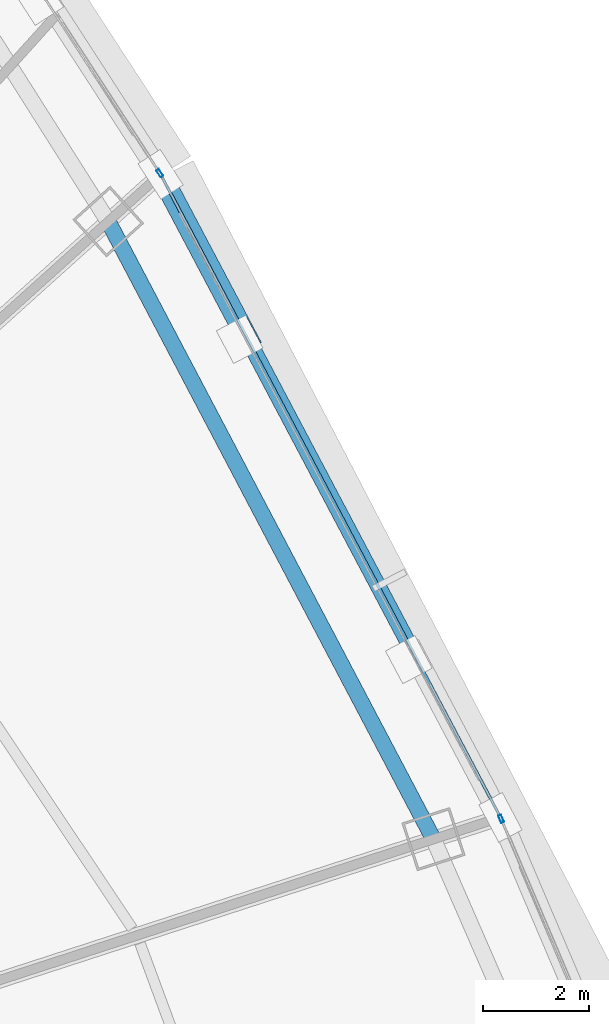
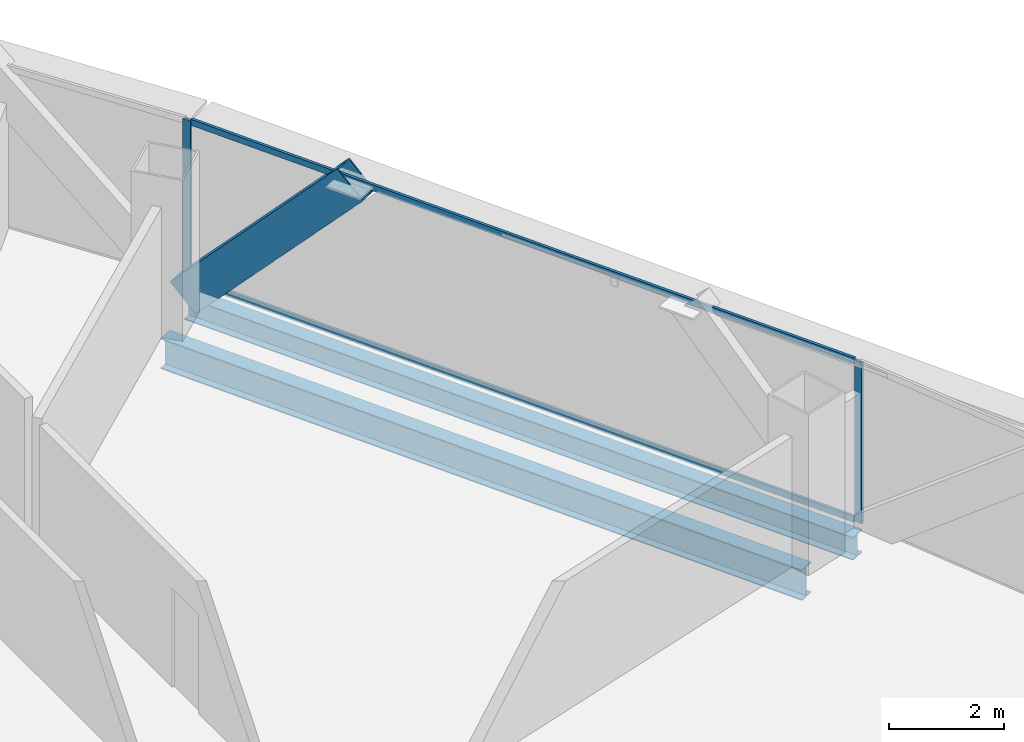
# One storey, part 28 of 40: 5 members, 2 beams, 3 elements without a shape of their own.
"""IFC4 building model written with IfcOpenShell, lengths in metres."""

from ifc_helpers import new_model, si_unit, direction, frame, origin, origin_2d, place, context, subcontext, project, spatial, hollow_rectangle, i_section, extrude, source, transform, mapped, material, layer, layer_set, material_profile, profile_set, type_object, element, aggregate, save


model = new_model("IFC4")

# Units and contexts
model_context = context("Model", 3, precision=1e-05, world=origin(), true_north=direction((0.0, 1.0)))
body_context = subcontext(model_context, "Body", "Model", "MODEL_VIEW")
ifc_project = project(units=[si_unit("LENGTHUNIT", "METRE"), si_unit("AREAUNIT", "SQUARE_METRE"), si_unit("VOLUMEUNIT", "CUBIC_METRE"), si_unit("PLANEANGLEUNIT", "RADIAN"), si_unit("MASSUNIT", "GRAM", prefix="KILO"), si_unit("THERMODYNAMICTEMPERATUREUNIT", "KELVIN"), si_unit("POWERUNIT", "WATT")], contexts=[model_context])

# Site, building, storey
site_placement = place(None, origin())
site = spatial("IfcSite", under=ifc_project, at=site_placement, CompositionType="ELEMENT")
building_placement = place(site_placement, origin())
building = spatial("IfcBuilding", under=site, at=building_placement, Name="Yunzhuo Pagoda Commons", CompositionType="ELEMENT")
storey_placement = place(building_placement, frame((0.0, 0.0, 159.27001953125)))
storey = spatial("IfcBuildingStorey", under=building, at=storey_placement, Name="L40", CompositionType="ELEMENT", Elevation=159.27001953125)

# Beams
ifc_material_1 = material(Name="Structural steel Q355B", Category="steel")
ifc_material_profile_1 = material_profile(ifc_material_1, i_section(OverallWidth=0.300048828125, OverallDepth=0.64990234375, WebThickness=0.012939453125, FlangeThickness=0.02197265625, at=origin_2d()), Name="Structural steel Q355B")
ifc_profile_set_1 = profile_set([ifc_material_profile_1], Name="Structural steel Q355B")
beam_type_1 = type_object("IfcBeamType", Name="B-RG2 Beam HN 650x300x13x22", PredefinedType="BEAM", material=ifc_profile_set_1)
shared_shape_1 = source(origin(), body_context, "Body", "SweptSolid", [
    extrude(i_section(OverallWidth=0.300048828125, OverallDepth=0.64990234375, WebThickness=0.012939453125, FlangeThickness=0.02197265625, at=origin_2d()), origin(), (0.0, 0.0, 1.0), 13.198974609375),
])
beam_1_placement = place(storey_placement, frame((77.915283203125, 43.420166015625, -0.5849609375), z_axis=(-0.465885937554, 0.884844784801, 0.0), x_axis=(-0.884844784801, -0.465885937554, 0.0)))
element("IfcBeam", 1, at=beam_1_placement, inside=storey, type_object=beam_type_1, Name="L40 column-ring beam 6", PredefinedType="BEAM", context=body_context, shape_type="MappedRepresentation", body=[
    mapped(shared_shape_1, transform((0.0, 0.0, 0.0), scale=1.0)),
])
ifc_material_profile_2 = material_profile(ifc_material_1, i_section(OverallWidth=0.300048828125, OverallDepth=0.488037109375, WebThickness=0.010986328125, FlangeThickness=0.01806640625, at=origin_2d()), Name="Structural steel Q355B")
ifc_profile_set_2 = profile_set([ifc_material_profile_2], Name="Structural steel Q355B")
beam_type_2 = type_object("IfcBeamType", Name="B-SP1 Beam HM 488x300x11x18", PredefinedType="BEAM", material=ifc_profile_set_2)
shared_shape_2 = source(origin(), body_context, "Body", "SweptSolid", [
    extrude(i_section(OverallWidth=0.300048828125, OverallDepth=0.488037109375, WebThickness=0.010986328125, FlangeThickness=0.01806640625, at=origin_2d()), origin(), (0.0, 0.0, 1.0), 13.75244140625),
])
beam_2_placement = place(storey_placement, frame((79.182861328125, 43.831787109375, -0.50390625), z_axis=(-0.467350934474, 0.884071888506, 0.0), x_axis=(-0.884071888506, -0.467350934474, 0.0)))
element("IfcBeam", 2, at=beam_2_placement, inside=storey, type_object=beam_type_2, Name="L40 facade edge spandrel beam F2.2", PredefinedType="BEAM", context=body_context, shape_type="MappedRepresentation", body=[
    mapped(shared_shape_2, transform((0.0, 0.0, 0.0), scale=1.0)),
])

# Member
ifc_material_profile_3 = material_profile(ifc_material_1, hollow_rectangle(XDim=0.39990234375, YDim=0.719970703125, WallThickness=0.02392578125, at=origin_2d()), Name="Structural steel Q355B")
ifc_profile_set_3 = profile_set([ifc_material_profile_3], Name="Structural steel Q355B")
member_type_1 = type_object("IfcMemberType", Name="M-DL2 Brace BOX 720x400x24", PredefinedType="BRACE", material=ifc_profile_set_3)
shared_shape_3 = source(origin(), body_context, "Body", "SweptSolid", [
    extrude(hollow_rectangle(XDim=0.39990234375, YDim=0.719970703125, WallThickness=0.02392578125, at=origin_2d()), origin(), (0.0, 0.0, 1.0), 5.035888671875),
])
member_1_placement = place(storey_placement, frame((72.755615234375, 55.989990234375, -0.260009765625), z_axis=(0.31904433984, -0.603522714887, 0.730733222066), x_axis=(0.884071048322, 0.467352523818, 0.0)))
element("IfcMember", 3, at=member_1_placement, inside=storey, type_object=member_type_1, Name="L40 facade diamond brace F2.2R", PredefinedType="BRACE", context=body_context, shape_type="MappedRepresentation", body=[
    mapped(shared_shape_3, transform((0.0, 0.0, 0.0), scale=1.0)),
])

# Curtain wall, member
ifc_material_2 = material(Name="Anodized aluminium 6063-T6", Category="aluminium")
ifc_layer = layer(ifc_material_2, 0.14990234375)
ifc_layer_set = layer_set([ifc_layer], Name="Anodized aluminium 6063-T6")
curtain_wall_type = type_object("IfcCurtainWallType", Name="CW-MID Mid-Zone Ribbon Curtain Wall", PredefinedType="NOTDEFINED", material=ifc_layer_set)
curtain_wall_1_placement = place(storey_placement, origin())
curtain_wall_1 = element("IfcCurtainWall", 4, at=curtain_wall_1_placement, inside=storey, type_object=curtain_wall_type, Name="L40 curtain wall CW-L40-F2B2", PredefinedType="NOTDEFINED")
ifc_material_profile_4 = material_profile(ifc_material_2, hollow_rectangle(XDim=0.06005859375, YDim=0.14990234375, WallThickness=0.00390625, at=origin_2d()), Name="Anodized aluminium 6063-T6")
ifc_profile_set_4 = profile_set([ifc_material_profile_4], Name="Anodized aluminium 6063-T6")
member_type_2 = type_object("IfcMemberType", Name="CW-MID-M Mullion RHS 150x60x4", PredefinedType="MULLION", material=ifc_profile_set_4)
shared_shape_4 = source(origin(), body_context, "Body", "SweptSolid", [
    extrude(hollow_rectangle(XDim=0.06005859375, YDim=0.14990234375, WallThickness=0.00390625, at=origin_2d()), origin(), (0.0, 0.0, 1.0), 3.419677734375),
])
member_2_placement = place(storey_placement, frame((79.194580078125, 43.80419921875, 0.000244140625), z_axis=(0.0, 0.0, 1.0), x_axis=(-0.92021678471, -0.391409081572, 0.0)))
member_2 = element("IfcMember", 5, at=member_2_placement, type_object=member_type_2, Name="CW mullion 2", PredefinedType="MULLION", context=body_context, shape_type="MappedRepresentation", body=[
    mapped(shared_shape_4, transform((0.0, 0.0, 0.0), scale=1.0)),
])
aggregate(curtain_wall_1, [member_2])

curtain_wall_2_placement = place(storey_placement, origin())
curtain_wall_2 = element("IfcCurtainWall", 6, at=curtain_wall_2_placement, inside=storey, type_object=curtain_wall_type, Name="L40 curtain wall CW-L40-F2B4", PredefinedType="NOTDEFINED")
member_3_placement = place(storey_placement, frame((72.7392578125, 56.01513671875, 0.000244140625), z_axis=(0.0, 0.0, 1.0), x_axis=(-0.839392571637, -0.543525630197, 0.0)))
member_3 = element("IfcMember", 7, at=member_3_placement, type_object=member_type_2, Name="CW mullion 1", PredefinedType="MULLION", context=body_context, shape_type="MappedRepresentation", body=[
    mapped(shared_shape_4, transform((0.0, 0.0, 0.0), scale=1.0)),
])
aggregate(curtain_wall_2, [member_3])

# Curtain wall, members
curtain_wall_3_placement = place(storey_placement, origin())
curtain_wall_3 = element("IfcCurtainWall", 8, at=curtain_wall_3_placement, inside=storey, type_object=curtain_wall_type, Name="L40 curtain wall CW-L40-F2B3", PredefinedType="NOTDEFINED")
ifc_material_profile_5 = material_profile(ifc_material_2, hollow_rectangle(XDim=0.054931640625, YDim=0.1298828125, WallThickness=0.00341796875, at=origin_2d()), Name="Anodized aluminium 6063-T6")
ifc_profile_set_5 = profile_set([ifc_material_profile_5], Name="Anodized aluminium 6063-T6")
member_type_3 = type_object("IfcMemberType", Name="CW-MID-T Transom RHS 130x55x3.5", PredefinedType="USERDEFINED", material=ifc_profile_set_5)
shared_shape_5 = source(origin(), body_context, "Body", "SweptSolid", [
    extrude(hollow_rectangle(XDim=0.054931640625, YDim=0.1298828125, WallThickness=0.00341796875, at=origin_2d()), origin(), (0.0, 0.0, 1.0), 13.632568359375),
])
member_4_placement = place(storey_placement, frame((79.15478515625, 43.885009765625, 0.027587890625), z_axis=(-0.467364316049, 0.884064814414, 0.0), x_axis=(-0.884064814414, -0.467364316049, 0.0)))
member_4 = element("IfcMember", 9, at=member_4_placement, type_object=member_type_3, Name="CW transom 1.1", ObjectType="TRANSOM", PredefinedType="USERDEFINED", context=body_context, shape_type="MappedRepresentation", body=[
    mapped(shared_shape_5, transform((0.0, 0.0, 0.0), scale=1.0)),
])
member_5_placement = place(storey_placement, frame((79.15478515625, 43.885009765625, 3.392578125), z_axis=(-0.467364316049, 0.884064814414, 0.0), x_axis=(-0.884064814414, -0.467364316049, 0.0)))
member_5 = element("IfcMember", 10, at=member_5_placement, type_object=member_type_3, Name="CW transom 1.2", ObjectType="TRANSOM", PredefinedType="USERDEFINED", context=body_context, shape_type="MappedRepresentation", body=[
    mapped(shared_shape_5, transform((0.0, 0.0, 0.0), scale=1.0)),
])
aggregate(curtain_wall_3, [member_4, member_5])

save(model, "model.ifc")
